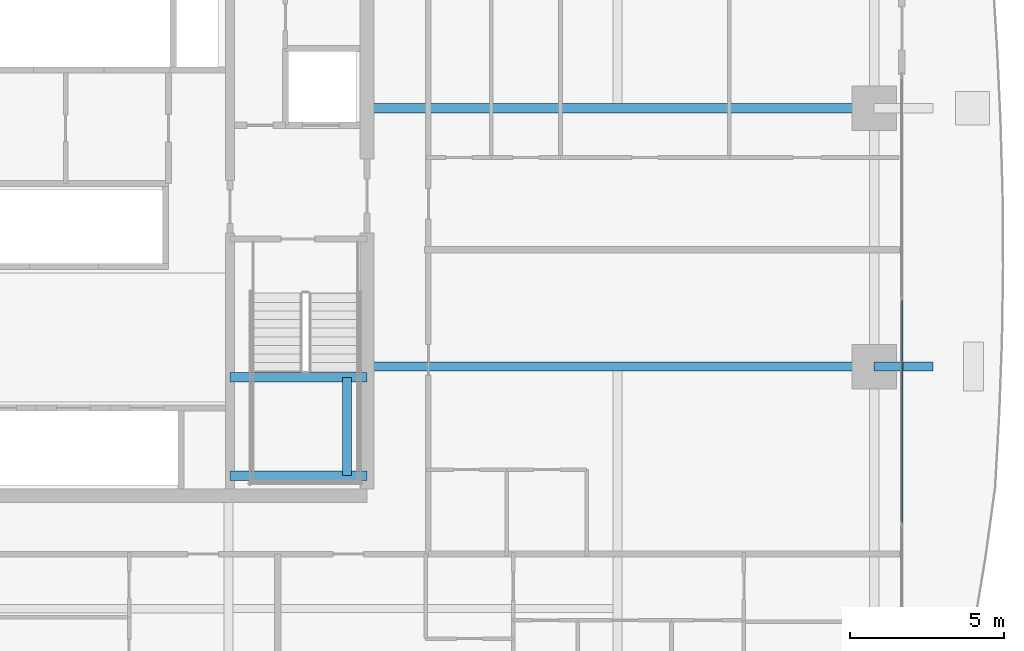
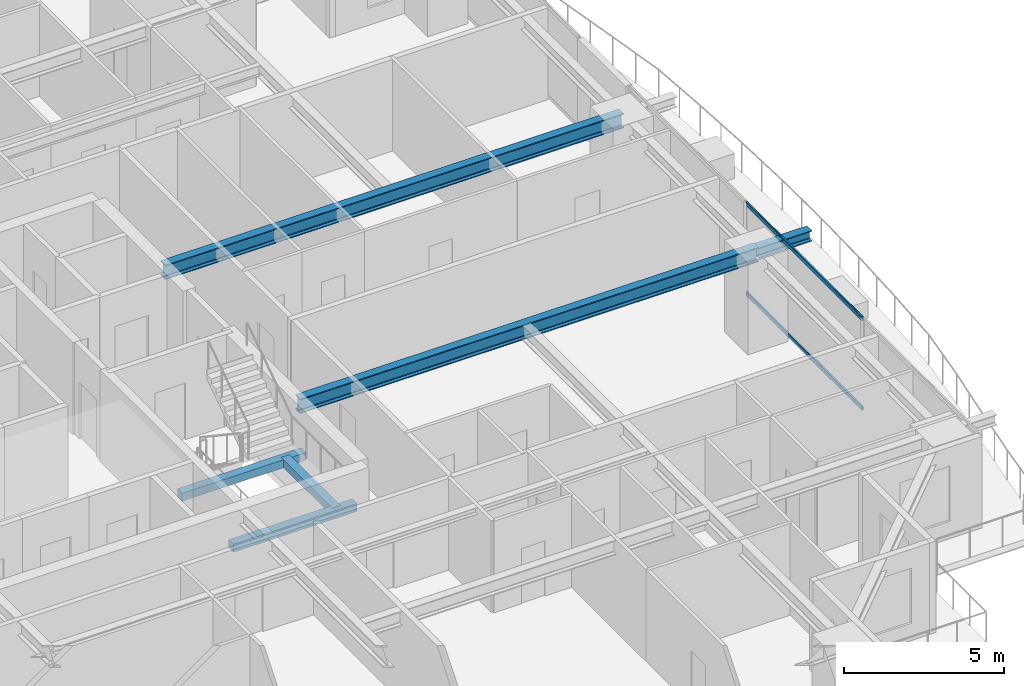
# One storey, part 13 of 38: 6 beams, 2 members, 1 element without a shape of its own.
"""IFC4 building model written with IfcOpenShell, lengths in metres."""

from ifc_helpers import new_model, si_unit, direction, frame, origin, origin_2d, place, context, subcontext, project, spatial, rectangle, hollow_rectangle, i_section, extrude, source, transform, mapped, material, layer, layer_set, material_profile, profile_set, type_object, element, aggregate, save


model = new_model("IFC4")

# Units and contexts
model_context = context("Model", 3, precision=1e-05, world=origin(), true_north=direction((0.0, 1.0)))
body_context = subcontext(model_context, "Body", "Model", "MODEL_VIEW")
ifc_project = project(units=[si_unit("LENGTHUNIT", "METRE"), si_unit("AREAUNIT", "SQUARE_METRE"), si_unit("VOLUMEUNIT", "CUBIC_METRE"), si_unit("PLANEANGLEUNIT", "RADIAN"), si_unit("MASSUNIT", "GRAM", prefix="KILO")], contexts=[model_context])

# Site, building, storey
site_placement = place(None, origin())
site = spatial("IfcSite", under=ifc_project, at=site_placement, CompositionType="ELEMENT")
building_placement = place(site_placement, origin())
building = spatial("IfcBuilding", under=site, at=building_placement, Name="Serunith Strait Residences", CompositionType="ELEMENT")
storey_placement = place(building_placement, frame((0.0, 0.0, 52.949951171875)))
storey = spatial("IfcBuildingStorey", under=building, at=storey_placement, Name="L12", CompositionType="ELEMENT", Elevation=52.949951171875)

# Beams
ifc_material_1 = material(Name="Steel S355J2", Category="steel")
ifc_material_profile_1 = material_profile(ifc_material_1, i_section(OverallWidth=0.300048828125, OverallDepth=0.550048828125, WebThickness=0.014892578125, FlangeThickness=0.029052734375, FilletRadius=0.027099609375, at=origin_2d()), Name="HEB 550")
ifc_profile_set_1 = profile_set([ifc_material_profile_1], Name="Steel S355J2")
beam_type_1 = type_object("IfcBeamType", Name="BM-HEB550", PredefinedType="BEAM", material=ifc_profile_set_1)
shared_shape_1 = source(origin(), body_context, "Body", "SweptSolid", [
    extrude(i_section(OverallWidth=0.300048828125, OverallDepth=0.550048828125, WebThickness=0.014892578125, FlangeThickness=0.029052734375, FilletRadius=0.027099609375, at=origin_2d()), origin(), (0.0, 0.0, 1.0), 16.5),
])
for number, where, z_axis, x_axis, name in (
    (1, (41.39990234375, 21.0, 3.212158203125), (1.0, 0.0, 0.0), (0.0, 1.0, 0.0), "L12 Primary Floor Girder TC-E2"),
    (2, (41.39990234375, 29.39990234375, 3.212158203125), (1.0, 0.0, 0.0), (0.0, 1.0, 0.0), "L12 Primary Floor Girder TC-E3"),
):
    element("IfcBeam", number, at=place(storey_placement, frame(where, z_axis=z_axis, x_axis=x_axis)), inside=storey, type_object=beam_type_1, Name=name, PredefinedType="BEAM", context=body_context, shape_type="MappedRepresentation", body=[
        mapped(shared_shape_1, transform((0.0, 0.0, 0.0), scale=1.0)),
    ])
ifc_material_profile_2 = material_profile(ifc_material_1, i_section(OverallWidth=0.300048828125, OverallDepth=0.39990234375, WebThickness=0.013427734375, FlangeThickness=0.02392578125, FilletRadius=0.027099609375, at=origin_2d()), Name="HEB 400")
ifc_profile_set_2 = profile_set([ifc_material_profile_2], Name="Steel S355J2")
beam_type_2 = type_object("IfcBeamType", Name="BM-HEB400", PredefinedType="BEAM", material=ifc_profile_set_2)
shared_shape_2 = source(origin(), body_context, "Body", "SweptSolid", [
    extrude(i_section(OverallWidth=0.300048828125, OverallDepth=0.39990234375, WebThickness=0.013427734375, FlangeThickness=0.02392578125, FilletRadius=0.027099609375, at=origin_2d()), origin(), (0.0, 0.0, 1.0), 1.91015625),
])
beam_1_placement = place(storey_placement, frame((57.89990234375, 21.0, 3.257080078125), z_axis=(1.0, 0.0, 0.0), x_axis=(0.0, 1.0, 0.0)))
element("IfcBeam", 3, at=beam_1_placement, inside=storey, type_object=beam_type_2, Name="L13 Cantilevered Balcony Rib TC-E2", PredefinedType="BEAM", context=body_context, shape_type="MappedRepresentation", body=[
    mapped(shared_shape_2, transform((0.0, 0.0, 0.0), scale=1.0)),
])
ifc_material_2 = material(Name="Concrete C60/75", Category="concrete")
ifc_material_profile_3 = material_profile(ifc_material_2, rectangle(XDim=0.300048828125, YDim=0.300048828125, at=origin_2d()), Name="RC 300x300")
ifc_profile_set_3 = profile_set([ifc_material_profile_3], Name="Concrete C60/75")
beam_type_3 = type_object("IfcBeamType", Name="BM-LAND-300x300", PredefinedType="BEAM", material=ifc_profile_set_3)
shared_shape_3 = source(origin(), body_context, "Body", "SweptSolid", [
    extrude(rectangle(XDim=0.300048828125, YDim=0.300048828125, at=origin_2d()), origin(), (0.0, 0.0, 1.0), 3.199951171875),
])
beam_2_placement = place(storey_placement, frame((40.75, 17.449951171875, 1.525146484375), z_axis=(0.0, 1.0, 0.0), x_axis=(-1.0, 0.0, 0.0)))
element("IfcBeam", 4, at=beam_2_placement, inside=storey, type_object=beam_type_3, Name="L12 ST-2 Landing Transverse Tie Beam", PredefinedType="BEAM", context=body_context, shape_type="MappedRepresentation", body=[
    mapped(shared_shape_3, transform((0.0, 0.0, 0.0), scale=1.0)),
])
shared_shape_4 = source(origin(), body_context, "Body", "SweptSolid", [
    extrude(rectangle(XDim=0.300048828125, YDim=0.300048828125, at=origin_2d()), origin(), (0.0, 0.0, 1.0), 4.449951171875),
])
for number, where, z_axis, x_axis, name in (
    (5, (36.949951171875, 17.449951171875, 1.525146484375), (1.0, 0.0, 0.0), (0.0, 1.0, 0.0), "L12 ST-2 Landing Support Beam 1"),
    (6, (36.949951171875, 20.64990234375, 1.525146484375), (1.0, 0.0, 0.0), (0.0, 1.0, 0.0), "L12 ST-2 Landing Support Beam 2"),
):
    element("IfcBeam", number, at=place(storey_placement, frame(where, z_axis=z_axis, x_axis=x_axis)), inside=storey, type_object=beam_type_3, Name=name, PredefinedType="BEAM", context=body_context, shape_type="MappedRepresentation", body=[
        mapped(shared_shape_4, transform((0.0, 0.0, 0.0), scale=1.0)),
    ])

# Curtain wall, members
ifc_material_3 = material(Name="Pale-Champagne Anodised Aluminium", Category="aluminium")
ifc_layer = layer(ifc_material_3, 0.199951171875, Name="Pale-Champagne Anodised Aluminium")
ifc_layer_set = layer_set([ifc_layer], Name="Pale-Champagne Anodised Aluminium")
curtain_wall_type = type_object("IfcCurtainWallType", Name="CW-SYS1", PredefinedType="NOTDEFINED", material=ifc_layer_set)
curtain_wall_placement = place(storey_placement, origin())
curtain_wall = element("IfcCurtainWall", 7, at=curtain_wall_placement, inside=storey, type_object=curtain_wall_type, Name="L12 E Unitised Fritted Curtain Wall", PredefinedType="NOTDEFINED")
ifc_material_profile_4 = material_profile(ifc_material_3, hollow_rectangle(XDim=0.06005859375, YDim=0.159912109375, WallThickness=0.00341796875, InnerFilletRadius=0.00537109375, OuterFilletRadius=0.0087890625, at=origin_2d()), Name="ALU 160x60x3.5")
ifc_profile_set_4 = profile_set([ifc_material_profile_4], Name="Pale-Champagne Anodised Aluminium")
member_type = type_object("IfcMemberType", Name="CW-SYS1-TRAN", PredefinedType="USERDEFINED", material=ifc_profile_set_4)
shared_shape_5 = source(origin(), body_context, "Body", "SweptSolid", [
    extrude(hollow_rectangle(XDim=0.06005859375, YDim=0.159912109375, WallThickness=0.00341796875, InnerFilletRadius=0.00537109375, OuterFilletRadius=0.0087890625, at=origin_2d()), origin(), (0.0, 0.0, 1.0), 7.22998046875),
])
member_1_placement = place(storey_placement, frame((58.800048828125, 15.93505859375, 0.030029296875), z_axis=(0.0, 1.0, 0.0), x_axis=(-1.0, 0.0, 0.0)))
member_1 = element("IfcMember", 8, at=member_1_placement, type_object=member_type, Name="CW-1 transom 2.1", ObjectType="TRANSOM", PredefinedType="USERDEFINED", context=body_context, shape_type="MappedRepresentation", body=[
    mapped(shared_shape_5, transform((0.0, 0.0, 0.0), scale=1.0)),
])
member_2_placement = place(storey_placement, frame((58.800048828125, 15.93505859375, 3.445068359375), z_axis=(0.0, 1.0, 0.0), x_axis=(-1.0, 0.0, 0.0)))
member_2 = element("IfcMember", 9, at=member_2_placement, type_object=member_type, Name="CW-1 transom 2.2", ObjectType="TRANSOM", PredefinedType="USERDEFINED", context=body_context, shape_type="MappedRepresentation", body=[
    mapped(shared_shape_5, transform((0.0, 0.0, 0.0), scale=1.0)),
])
aggregate(curtain_wall, [member_1, member_2])

save(model, "model.ifc")
